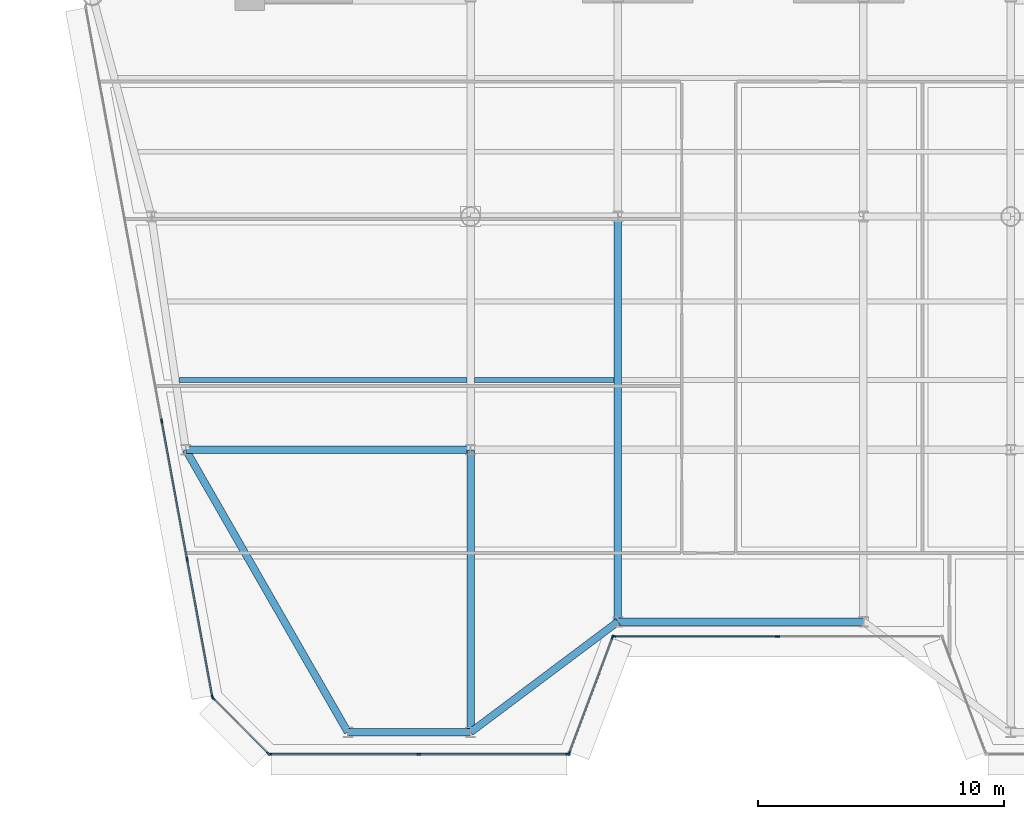
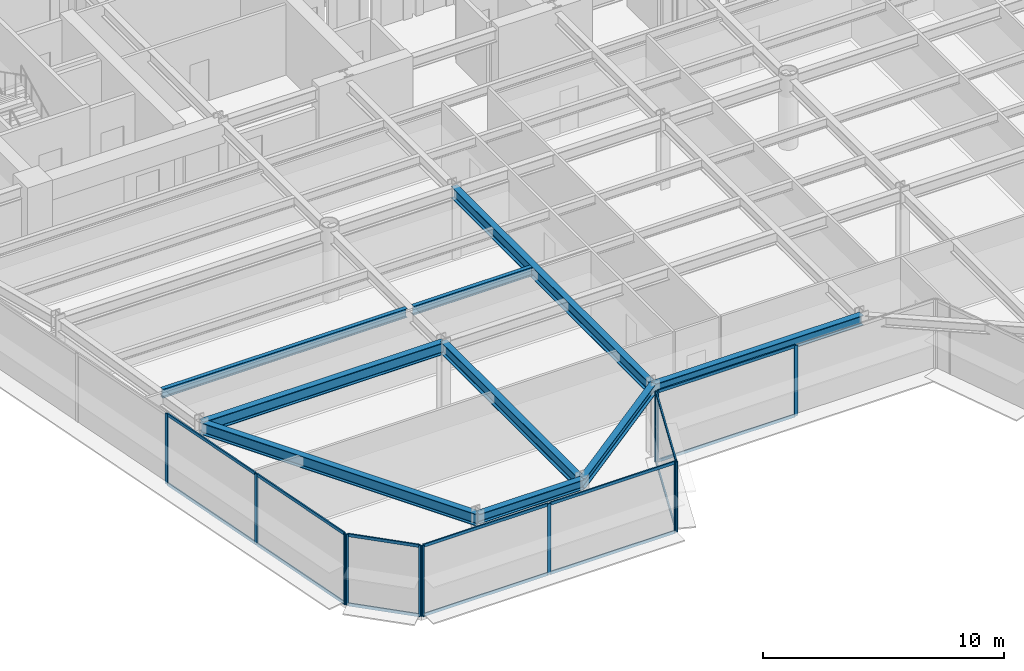
# One storey, part 2 of 16: 26 members, 9 beams, 5 elements without a shape of their own.
"""IFC4 building model written with IfcOpenShell, lengths in metres."""

from ifc_helpers import new_model, si_unit, direction, frame, origin, origin_2d, place, context, subcontext, project, spatial, rectangle, i_section, extrude, source, transform, mapped, material, layer, layer_set, material_profile, profile_set, type_object, element, aggregate, save


model = new_model("IFC4")

# Units and contexts
model_context = context("Model", 3, precision=1e-05, world=origin(), true_north=direction((0.0, 1.0)))
body_context = subcontext(model_context, "Body", "Model", "MODEL_VIEW")
ifc_project = project(units=[si_unit("LENGTHUNIT", "METRE"), si_unit("AREAUNIT", "SQUARE_METRE"), si_unit("VOLUMEUNIT", "CUBIC_METRE"), si_unit("PLANEANGLEUNIT", "RADIAN"), si_unit("MASSUNIT", "GRAM", prefix="KILO")], contexts=[model_context])

# Site, building, storey
site_placement = place(None, origin())
site = spatial("IfcSite", under=ifc_project, at=site_placement, CompositionType="ELEMENT")
building_placement = place(site_placement, origin())
building = spatial("IfcBuilding", under=site, at=building_placement, Name="Vaeldorn Concourse Tower", CompositionType="ELEMENT")
storey_placement = place(building_placement, frame((0.0, 0.0, 184.199951171875)))
storey = spatial("IfcBuildingStorey", under=building, at=storey_placement, Name="L47", CompositionType="ELEMENT", Elevation=184.199951171875)

# Beams
ifc_material_1 = material(Name="Steel S355", Category="steel")
ifc_material_profile_1 = material_profile(ifc_material_1, i_section(OverallWidth=0.300048828125, OverallDepth=0.5, WebThickness=0.014404296875, FlangeThickness=0.028076171875, FilletRadius=0.027099609375, at=origin_2d()), Name="HEB 500")
ifc_profile_set_1 = profile_set([ifc_material_profile_1], Name="Steel S355")
beam_type_1 = type_object("IfcBeamType", Name="BM-SP-HEB500", PredefinedType="SPANDREL", material=ifc_profile_set_1)
shared_shape_1 = source(origin(), body_context, "Body", "SweptSolid", [
    extrude(i_section(OverallWidth=0.300048828125, OverallDepth=0.5, WebThickness=0.014404296875, FlangeThickness=0.028076171875, FilletRadius=0.027099609375, at=origin_2d()), origin(), (0.0, 0.0, 1.0), 5.0),
])
beam_1_placement = place(storey_placement, frame((18.0, 6.5, 3.330078125), z_axis=(1.0, 0.0, 0.0), x_axis=(0.0, 1.0, 0.0)))
element("IfcBeam", 1, at=beam_1_placement, inside=storey, type_object=beam_type_1, Name="Beam BM-L47-C-SF1-C-SF2", PredefinedType="SPANDREL", context=body_context, shape_type="MappedRepresentation", body=[
    mapped(shared_shape_1, transform((0.0, 0.0, 0.0), scale=1.0)),
])
shared_shape_2 = source(origin(), body_context, "Body", "SweptSolid", [
    extrude(i_section(OverallWidth=0.300048828125, OverallDepth=0.5, WebThickness=0.014404296875, FlangeThickness=0.028076171875, FilletRadius=0.027099609375, at=origin_2d()), origin(), (0.0, 0.0, 1.0), 7.5),
])
beam_2_placement = place(storey_placement, frame((23.0, 6.5, 3.330078125), z_axis=(0.8, 0.6, 0.0), x_axis=(-0.6, 0.8, 0.0)))
element("IfcBeam", 2, at=beam_2_placement, inside=storey, type_object=beam_type_1, Name="Beam BM-L47-C-SF2-C-SF3", PredefinedType="SPANDREL", context=body_context, shape_type="MappedRepresentation", body=[
    mapped(shared_shape_2, transform((0.0, 0.0, 0.0), scale=1.0)),
])
shared_shape_3 = source(origin(), body_context, "Body", "SweptSolid", [
    extrude(i_section(OverallWidth=0.300048828125, OverallDepth=0.5, WebThickness=0.014404296875, FlangeThickness=0.028076171875, FilletRadius=0.027099609375, at=origin_2d()), origin(), (0.0, 0.0, 1.0), 10.0),
])
beam_3_placement = place(storey_placement, frame((29.0, 11.0, 3.330078125), z_axis=(1.0, 0.0, 0.0), x_axis=(0.0, 1.0, 0.0)))
element("IfcBeam", 3, at=beam_3_placement, inside=storey, type_object=beam_type_1, Name="Beam BM-L47-C-SF3-C-SF4", PredefinedType="SPANDREL", context=body_context, shape_type="MappedRepresentation", body=[
    mapped(shared_shape_3, transform((0.0, 0.0, 0.0), scale=1.0)),
])
ifc_material_profile_2 = material_profile(ifc_material_1, i_section(OverallWidth=0.18994140625, OverallDepth=0.449951171875, WebThickness=0.009521484375, FlangeThickness=0.0146484375, FilletRadius=0.02099609375, at=origin_2d()), Name="IPE 450")
ifc_profile_set_2 = profile_set([ifc_material_profile_2], Name="Steel S355")
beam_type_2 = type_object("IfcBeamType", Name="BM-JS-IPE450", PredefinedType="JOIST", material=ifc_profile_set_2)
shared_shape_4 = source(origin(), body_context, "Body", "SweptSolid", [
    extrude(i_section(OverallWidth=0.18994140625, OverallDepth=0.449951171875, WebThickness=0.009521484375, FlangeThickness=0.0146484375, FilletRadius=0.02099609375, at=origin_2d()), origin(), (0.0, 0.0, 1.0), 11.718505859375),
])
beam_4_placement = place(storey_placement, frame((11.131591796875, 20.840087890625, 3.35498046875), z_axis=(1.0, 0.0, 0.0), x_axis=(0.0, 1.0, 0.0)))
element("IfcBeam", 4, at=beam_4_placement, inside=storey, type_object=beam_type_2, Name="Beam JS-L47-W1-208", PredefinedType="JOIST", context=body_context, shape_type="MappedRepresentation", body=[
    mapped(shared_shape_4, transform((0.0, 0.0, 0.0), scale=1.0)),
])
shared_shape_5 = source(origin(), body_context, "Body", "SweptSolid", [
    extrude(i_section(OverallWidth=0.18994140625, OverallDepth=0.449951171875, WebThickness=0.009521484375, FlangeThickness=0.0146484375, FilletRadius=0.02099609375, at=origin_2d()), origin(), (0.0, 0.0, 1.0), 5.7001953125),
])
beam_5_placement = place(storey_placement, frame((23.14990234375, 20.840087890625, 3.35498046875), z_axis=(1.0, 0.0, 0.0), x_axis=(0.0, 1.0, 0.0)))
element("IfcBeam", 5, at=beam_5_placement, inside=storey, type_object=beam_type_2, Name="Beam JS-L47-W2-208", PredefinedType="JOIST", context=body_context, shape_type="MappedRepresentation", body=[
    mapped(shared_shape_5, transform((0.0, 0.0, 0.0), scale=1.0)),
])
ifc_material_profile_3 = material_profile(ifc_material_1, i_section(OverallWidth=0.300048828125, OverallDepth=0.60009765625, WebThickness=0.015380859375, FlangeThickness=0.030029296875, FilletRadius=0.027099609375, at=origin_2d()), Name="HEB 600")
ifc_profile_set_3 = profile_set([ifc_material_profile_3], Name="Steel S355")
beam_type_3 = type_object("IfcBeamType", Name="BM-PG-HEB600", PredefinedType="BEAM", material=ifc_profile_set_3)
shared_shape_6 = source(origin(), body_context, "Body", "SweptSolid", [
    extrude(i_section(OverallWidth=0.300048828125, OverallDepth=0.60009765625, WebThickness=0.015380859375, FlangeThickness=0.030029296875, FilletRadius=0.027099609375, at=origin_2d()), origin(), (0.0, 0.0, 1.0), 11.60009765625),
])
beam_6_placement = place(storey_placement, frame((11.39990234375, 18.0, 3.280029296875), z_axis=(1.0, 0.0, 0.0), x_axis=(0.0, 1.0, 0.0)))
element("IfcBeam", 6, at=beam_6_placement, inside=storey, type_object=beam_type_3, Name="Beam BM-L47-C-FLW2-C-TW5", PredefinedType="BEAM", context=body_context, shape_type="MappedRepresentation", body=[
    mapped(shared_shape_6, transform((0.0, 0.0, 0.0), scale=1.0)),
])
shared_shape_7 = source(origin(), body_context, "Body", "SweptSolid", [
    extrude(i_section(OverallWidth=0.300048828125, OverallDepth=0.60009765625, WebThickness=0.015380859375, FlangeThickness=0.030029296875, FilletRadius=0.027099609375, at=origin_2d()), origin(), (0.0, 0.0, 1.0), 13.25927734375),
])
beam_7_placement = place(storey_placement, frame((18.0, 6.5, 3.280029296875), z_axis=(-0.497768009943, 0.867310214558, 0.0), x_axis=(-0.867310214558, -0.497768009943, 0.0)))
element("IfcBeam", 7, at=beam_7_placement, inside=storey, type_object=beam_type_3, Name="Beam BM-L47-C-SF1-C-FLW2", PredefinedType="BEAM", context=body_context, shape_type="MappedRepresentation", body=[
    mapped(shared_shape_7, transform((0.0, 0.0, 0.0), scale=1.0)),
])
shared_shape_8 = source(origin(), body_context, "Body", "SweptSolid", [
    extrude(i_section(OverallWidth=0.300048828125, OverallDepth=0.60009765625, WebThickness=0.015380859375, FlangeThickness=0.030029296875, FilletRadius=0.027099609375, at=origin_2d()), origin(), (0.0, 0.0, 1.0), 11.5),
])
beam_8_placement = place(storey_placement, frame((23.0, 6.5, 3.280029296875), z_axis=(0.0, 1.0, 0.0), x_axis=(-1.0, 0.0, 0.0)))
element("IfcBeam", 8, at=beam_8_placement, inside=storey, type_object=beam_type_3, Name="Beam BM-L47-C-SF2-C-TW5", PredefinedType="BEAM", context=body_context, shape_type="MappedRepresentation", body=[
    mapped(shared_shape_8, transform((0.0, 0.0, 0.0), scale=1.0)),
])
shared_shape_9 = source(origin(), body_context, "Body", "SweptSolid", [
    extrude(i_section(OverallWidth=0.300048828125, OverallDepth=0.60009765625, WebThickness=0.015380859375, FlangeThickness=0.030029296875, FilletRadius=0.027099609375, at=origin_2d()), origin(), (0.0, 0.0, 1.0), 16.5),
])
beam_9_placement = place(storey_placement, frame((29.0, 11.0, 3.280029296875), z_axis=(0.0, 1.0, 0.0), x_axis=(-1.0, 0.0, 0.0)))
element("IfcBeam", 9, at=beam_9_placement, inside=storey, type_object=beam_type_3, Name="Beam BM-L47-C-SF3-C-TW2", PredefinedType="BEAM", context=body_context, shape_type="MappedRepresentation", body=[
    mapped(shared_shape_9, transform((0.0, 0.0, 0.0), scale=1.0)),
])

# Curtain wall, members
ifc_material_2 = material(Name="Anodised Bronze Aluminium", Category="aluminium")
ifc_layer = layer(ifc_material_2, 0.18994140625)
ifc_layer_set = layer_set([ifc_layer], Name="Anodised Bronze Aluminium")
curtain_wall_type = type_object("IfcCurtainWallType", Name="CW-SYS-03", PredefinedType="NOTDEFINED", material=ifc_layer_set)
curtain_wall_1_placement = place(storey_placement, origin())
curtain_wall_1 = element("IfcCurtainWall", 10, at=curtain_wall_1_placement, inside=storey, type_object=curtain_wall_type, Name="Unitised Curtain Wall CW-L47-E02-1", PredefinedType="NOTDEFINED")
ifc_material_profile_4 = material_profile(ifc_material_2, rectangle(XDim=0.06494140625, YDim=0.14990234375, at=origin_2d()), Name="CWT 65x150")
ifc_profile_set_4 = profile_set([ifc_material_profile_4], Name="Anodised Bronze Aluminium")
member_type_1 = type_object("IfcMemberType", Name="CWT-BRONZE-150", PredefinedType="USERDEFINED", material=ifc_profile_set_4)
shared_shape_10 = source(origin(), body_context, "Body", "SweptSolid", [
    extrude(rectangle(XDim=0.06494140625, YDim=0.14990234375, at=origin_2d()), origin(), (0.0, 0.0, 1.0), 4.996337890625),
])
member_1_placement = place(storey_placement, frame((27.022705078125, 5.660888671875, 0.032470703125), z_axis=(0.351134151405, 0.936325161318, 0.0), x_axis=(-0.936325161318, 0.351134151405, 0.0)))
member_1 = element("IfcMember", 11, at=member_1_placement, type_object=member_type_1, Name="CW-03 transom 1.1", ObjectType="TRANSOM", PredefinedType="USERDEFINED", context=body_context, shape_type="MappedRepresentation", body=[
    mapped(shared_shape_10, transform((0.0, 0.0, 0.0), scale=1.0)),
])
member_2_placement = place(storey_placement, frame((27.022705078125, 5.660888671875, 3.547607421875), z_axis=(0.351134151405, 0.936325161318, 0.0), x_axis=(-0.936325161318, 0.351134151405, 0.0)))
member_2 = element("IfcMember", 12, at=member_2_placement, type_object=member_type_1, Name="CW-03 transom 1.2", ObjectType="TRANSOM", PredefinedType="USERDEFINED", context=body_context, shape_type="MappedRepresentation", body=[
    mapped(shared_shape_10, transform((0.0, 0.0, 0.0), scale=1.0)),
])

curtain_wall_2_placement = place(storey_placement, origin())
curtain_wall_2 = element("IfcCurtainWall", 13, at=curtain_wall_2_placement, inside=storey, type_object=curtain_wall_type, Name="Unitised Curtain Wall CW-L47-E03-1", PredefinedType="NOTDEFINED")
shared_shape_11 = source(origin(), body_context, "Body", "SweptSolid", [
    extrude(rectangle(XDim=0.06494140625, YDim=0.14990234375, at=origin_2d()), origin(), (0.0, 0.0, 1.0), 6.6025390625),
])
member_3_placement = place(storey_placement, frame((28.864990234375, 10.39990234375, 0.032470703125), z_axis=(1.0, 0.0, 0.0), x_axis=(0.0, 1.0, 0.0)))
member_3 = element("IfcMember", 14, at=member_3_placement, type_object=member_type_1, Name="CW-03 transom 1.1", ObjectType="TRANSOM", PredefinedType="USERDEFINED", context=body_context, shape_type="MappedRepresentation", body=[
    mapped(shared_shape_11, transform((0.0, 0.0, 0.0), scale=1.0)),
])
member_4_placement = place(storey_placement, frame((28.864990234375, 10.39990234375, 3.547607421875), z_axis=(1.0, 0.0, 0.0), x_axis=(0.0, 1.0, 0.0)))
member_4 = element("IfcMember", 15, at=member_4_placement, type_object=member_type_1, Name="CW-03 transom 1.2", ObjectType="TRANSOM", PredefinedType="USERDEFINED", context=body_context, shape_type="MappedRepresentation", body=[
    mapped(shared_shape_11, transform((0.0, 0.0, 0.0), scale=1.0)),
])

curtain_wall_3_placement = place(storey_placement, origin())
curtain_wall_3 = element("IfcCurtainWall", 16, at=curtain_wall_3_placement, inside=storey, type_object=curtain_wall_type, Name="Unitised Curtain Wall CW-L47-E01-1", PredefinedType="NOTDEFINED")
ifc_material_profile_5 = material_profile(ifc_material_2, rectangle(XDim=0.06494140625, YDim=0.169921875, at=origin_2d()), Name="CWM 65x170")
ifc_profile_set_5 = profile_set([ifc_material_profile_5], Name="Anodised Bronze Aluminium")
member_type_2 = type_object("IfcMemberType", Name="CWM-BRONZE-170", PredefinedType="MULLION", material=ifc_profile_set_5)
shared_shape_12 = source(origin(), body_context, "Body", "SweptSolid", [
    extrude(rectangle(XDim=0.06494140625, YDim=0.169921875, at=origin_2d()), origin(), (0.0, 0.0, 1.0), 3.580078125),
])
member_5_placement = place(storey_placement, frame((14.823486328125, 5.60009765625, 0.0), z_axis=(0.0, 0.0, 1.0), x_axis=(0.0, 1.0, 0.0)))
member_5 = element("IfcMember", 17, at=member_5_placement, type_object=member_type_2, Name="CW-03 mullion 1", PredefinedType="MULLION", context=body_context, shape_type="MappedRepresentation", body=[
    mapped(shared_shape_12, transform((0.0, 0.0, 0.0), scale=1.0)),
])
member_6_placement = place(storey_placement, frame((20.8955078125, 5.60009765625, 0.0), z_axis=(0.0, 0.0, 1.0), x_axis=(0.0, 1.0, 0.0)))
member_6 = element("IfcMember", 18, at=member_6_placement, type_object=member_type_2, Name="CW-03 mullion 2", PredefinedType="MULLION", context=body_context, shape_type="MappedRepresentation", body=[
    mapped(shared_shape_12, transform((0.0, 0.0, 0.0), scale=1.0)),
])
member_7_placement = place(storey_placement, frame((26.967529296875, 5.60009765625, 0.0), z_axis=(0.0, 0.0, 1.0), x_axis=(0.0, 1.0, 0.0)))
member_7 = element("IfcMember", 19, at=member_7_placement, type_object=member_type_2, Name="CW-03 mullion 3", PredefinedType="MULLION", context=body_context, shape_type="MappedRepresentation", body=[
    mapped(shared_shape_12, transform((0.0, 0.0, 0.0), scale=1.0)),
])

# Member
member_8_placement = place(storey_placement, frame((27.011474609375, 5.63037109375, 0.0), z_axis=(0.0, 0.0, 1.0), x_axis=(-0.936329177566, 0.351123441595, 0.0)))
member_8 = element("IfcMember", 20, at=member_8_placement, type_object=member_type_2, Name="CW-03 mullion 1", PredefinedType="MULLION", context=body_context, shape_type="MappedRepresentation", body=[
    mapped(shared_shape_12, transform((0.0, 0.0, 0.0), scale=1.0)),
])

member_9_placement = place(storey_placement, frame((28.78857421875, 10.36962890625, 0.0), z_axis=(0.0, 0.0, 1.0), x_axis=(-0.936329177566, 0.351123441595, 0.0)))
member_9 = element("IfcMember", 21, at=member_9_placement, type_object=member_type_2, Name="CW-03 mullion 2", PredefinedType="MULLION", context=body_context, shape_type="MappedRepresentation", body=[
    mapped(shared_shape_12, transform((0.0, 0.0, 0.0), scale=1.0)),
])

aggregate(curtain_wall_1, [member_8, member_9, member_1, member_2])

member_10_placement = place(storey_placement, frame((28.83251953125, 10.39990234375, 0.0), z_axis=(0.0, 0.0, 1.0), x_axis=(0.0, 1.0, 0.0)))
member_10 = element("IfcMember", 22, at=member_10_placement, type_object=member_type_2, Name="CW-03 mullion 1", PredefinedType="MULLION", context=body_context, shape_type="MappedRepresentation", body=[
    mapped(shared_shape_12, transform((0.0, 0.0, 0.0), scale=1.0)),
])

member_11_placement = place(storey_placement, frame((35.5, 10.39990234375, 0.0), z_axis=(0.0, 0.0, 1.0), x_axis=(0.0, 1.0, 0.0)))
member_11 = element("IfcMember", 23, at=member_11_placement, type_object=member_type_2, Name="CW-03 mullion 2", PredefinedType="MULLION", context=body_context, shape_type="MappedRepresentation", body=[
    mapped(shared_shape_12, transform((0.0, 0.0, 0.0), scale=1.0)),
])

aggregate(curtain_wall_2, [member_10, member_11, member_3, member_4])

# Curtain wall, members
curtain_wall_4_placement = place(storey_placement, origin())
curtain_wall_4 = element("IfcCurtainWall", 24, at=curtain_wall_4_placement, inside=storey, type_object=curtain_wall_type, Name="Unitised Curtain Wall CW-L47-E11-2", PredefinedType="NOTDEFINED")
member_12_placement = place(storey_placement, frame((10.421142578125, 19.17333984375, 0.0), z_axis=(0.0, 0.0, 1.0), x_axis=(0.983559325018, 0.180585309951, 0.0)))
member_12 = element("IfcMember", 25, at=member_12_placement, type_object=member_type_2, Name="CW-03 mullion 4", PredefinedType="MULLION", context=body_context, shape_type="MappedRepresentation", body=[
    mapped(shared_shape_12, transform((0.0, 0.0, 0.0), scale=1.0)),
])
member_13_placement = place(storey_placement, frame((11.4560546875, 13.53662109375, 0.0), z_axis=(0.0, 0.0, 1.0), x_axis=(0.983559325018, 0.180585309951, 0.0)))
member_13 = element("IfcMember", 26, at=member_13_placement, type_object=member_type_2, Name="CW-03 mullion 5", PredefinedType="MULLION", context=body_context, shape_type="MappedRepresentation", body=[
    mapped(shared_shape_12, transform((0.0, 0.0, 0.0), scale=1.0)),
])
member_14_placement = place(storey_placement, frame((12.485107421875, 7.931884765625, 0.0), z_axis=(0.0, 0.0, 1.0), x_axis=(0.983559325018, 0.180585309951, 0.0)))
member_14 = element("IfcMember", 27, at=member_14_placement, type_object=member_type_2, Name="CW-03 mullion 6", PredefinedType="MULLION", context=body_context, shape_type="MappedRepresentation", body=[
    mapped(shared_shape_12, transform((0.0, 0.0, 0.0), scale=1.0)),
])

curtain_wall_5_placement = place(storey_placement, origin())
curtain_wall_5 = element("IfcCurtainWall", 28, at=curtain_wall_5_placement, inside=storey, type_object=curtain_wall_type, Name="Unitised Curtain Wall CW-L47-E12-1", PredefinedType="NOTDEFINED")
member_15_placement = place(storey_placement, frame((12.513916015625, 7.876953125, 0.0), z_axis=(0.0, 0.0, 1.0), x_axis=(0.707106781187, 0.707106781187, 0.0)))
member_15 = element("IfcMember", 29, at=member_15_placement, type_object=member_type_2, Name="CW-03 mullion 1", PredefinedType="MULLION", context=body_context, shape_type="MappedRepresentation", body=[
    mapped(shared_shape_12, transform((0.0, 0.0, 0.0), scale=1.0)),
])
member_16_placement = place(storey_placement, frame((14.76806640625, 5.623046875, 0.0), z_axis=(0.0, 0.0, 1.0), x_axis=(0.707106781187, 0.707106781187, 0.0)))
member_16 = element("IfcMember", 30, at=member_16_placement, type_object=member_type_2, Name="CW-03 mullion 2", PredefinedType="MULLION", context=body_context, shape_type="MappedRepresentation", body=[
    mapped(shared_shape_12, transform((0.0, 0.0, 0.0), scale=1.0)),
])
shared_shape_13 = source(origin(), body_context, "Body", "SweptSolid", [
    extrude(rectangle(XDim=0.06494140625, YDim=0.14990234375, at=origin_2d()), origin(), (0.0, 0.0, 1.0), 3.122802734375),
])
member_17_placement = place(storey_placement, frame((12.536865234375, 7.85400390625, 0.032470703125), z_axis=(0.707145870536, -0.707067689676, 0.0), x_axis=(0.707067689676, 0.707145870536, 0.0)))
member_17 = element("IfcMember", 31, at=member_17_placement, type_object=member_type_1, Name="CW-03 transom 1.1", ObjectType="TRANSOM", PredefinedType="USERDEFINED", context=body_context, shape_type="MappedRepresentation", body=[
    mapped(shared_shape_13, transform((0.0, 0.0, 0.0), scale=1.0)),
])
member_18_placement = place(storey_placement, frame((12.536865234375, 7.85400390625, 3.547607421875), z_axis=(0.707145870536, -0.707067689676, 0.0), x_axis=(0.707067689676, 0.707145870536, 0.0)))
member_18 = element("IfcMember", 32, at=member_18_placement, type_object=member_type_1, Name="CW-03 transom 1.2", ObjectType="TRANSOM", PredefinedType="USERDEFINED", context=body_context, shape_type="MappedRepresentation", body=[
    mapped(shared_shape_13, transform((0.0, 0.0, 0.0), scale=1.0)),
])
aggregate(curtain_wall_5, [member_15, member_16, member_17, member_18])

# Member
shared_shape_14 = source(origin(), body_context, "Body", "SweptSolid", [
    extrude(rectangle(XDim=0.06494140625, YDim=0.14990234375, at=origin_2d()), origin(), (0.0, 0.0, 1.0), 5.63330078125),
])
member_19_placement = place(storey_placement, frame((11.4619140625, 13.504638671875, 0.032470703125), z_axis=(0.180589917692, -0.983558479008, 0.0), x_axis=(0.983558479008, 0.180589917692, 0.0)))
member_19 = element("IfcMember", 33, at=member_19_placement, type_object=member_type_1, Name="CW-03 transom 5.1", ObjectType="TRANSOM", PredefinedType="USERDEFINED", context=body_context, shape_type="MappedRepresentation", body=[
    mapped(shared_shape_14, transform((0.0, 0.0, 0.0), scale=1.0)),
])

member_20_placement = place(storey_placement, frame((11.4619140625, 13.504638671875, 3.547607421875), z_axis=(0.180589917692, -0.983558479008, 0.0), x_axis=(0.983558479008, 0.180589917692, 0.0)))
member_20 = element("IfcMember", 34, at=member_20_placement, type_object=member_type_1, Name="CW-03 transom 5.2", ObjectType="TRANSOM", PredefinedType="USERDEFINED", context=body_context, shape_type="MappedRepresentation", body=[
    mapped(shared_shape_14, transform((0.0, 0.0, 0.0), scale=1.0)),
])

shared_shape_15 = source(origin(), body_context, "Body", "SweptSolid", [
    extrude(rectangle(XDim=0.06494140625, YDim=0.14990234375, at=origin_2d()), origin(), (0.0, 0.0, 1.0), 5.666015625),
])
member_21_placement = place(storey_placement, frame((10.427001953125, 19.141357421875, 0.032470703125), z_axis=(0.180587719149, -0.983558882677, 0.0), x_axis=(0.983558882677, 0.180587719149, 0.0)))
member_21 = element("IfcMember", 35, at=member_21_placement, type_object=member_type_1, Name="CW-03 transom 4.1", ObjectType="TRANSOM", PredefinedType="USERDEFINED", context=body_context, shape_type="MappedRepresentation", body=[
    mapped(shared_shape_15, transform((0.0, 0.0, 0.0), scale=1.0)),
])

member_22_placement = place(storey_placement, frame((10.427001953125, 19.141357421875, 3.547607421875), z_axis=(0.180587719149, -0.983558882677, 0.0), x_axis=(0.983558882677, 0.180587719149, 0.0)))
member_22 = element("IfcMember", 36, at=member_22_placement, type_object=member_type_1, Name="CW-03 transom 4.2", ObjectType="TRANSOM", PredefinedType="USERDEFINED", context=body_context, shape_type="MappedRepresentation", body=[
    mapped(shared_shape_15, transform((0.0, 0.0, 0.0), scale=1.0)),
])

aggregate(curtain_wall_4, [member_12, member_13, member_14, member_21, member_22, member_19, member_20])

shared_shape_16 = source(origin(), body_context, "Body", "SweptSolid", [
    extrude(rectangle(XDim=0.06494140625, YDim=0.14990234375, at=origin_2d()), origin(), (0.0, 0.0, 1.0), 6.007080078125),
])
member_23_placement = place(storey_placement, frame((14.85595703125, 5.60009765625, 0.032470703125), z_axis=(1.0, 0.0, 0.0), x_axis=(0.0, 1.0, 0.0)))
member_23 = element("IfcMember", 37, at=member_23_placement, type_object=member_type_1, Name="CW-03 transom 1.1", ObjectType="TRANSOM", PredefinedType="USERDEFINED", context=body_context, shape_type="MappedRepresentation", body=[
    mapped(shared_shape_16, transform((0.0, 0.0, 0.0), scale=1.0)),
])

member_24_placement = place(storey_placement, frame((14.85595703125, 5.60009765625, 3.547607421875), z_axis=(1.0, 0.0, 0.0), x_axis=(0.0, 1.0, 0.0)))
member_24 = element("IfcMember", 38, at=member_24_placement, type_object=member_type_1, Name="CW-03 transom 1.2", ObjectType="TRANSOM", PredefinedType="USERDEFINED", context=body_context, shape_type="MappedRepresentation", body=[
    mapped(shared_shape_16, transform((0.0, 0.0, 0.0), scale=1.0)),
])

member_25_placement = place(storey_placement, frame((20.927978515625, 5.60009765625, 0.032470703125), z_axis=(1.0, 0.0, 0.0), x_axis=(0.0, 1.0, 0.0)))
member_25 = element("IfcMember", 39, at=member_25_placement, type_object=member_type_1, Name="CW-03 transom 2.1", ObjectType="TRANSOM", PredefinedType="USERDEFINED", context=body_context, shape_type="MappedRepresentation", body=[
    mapped(shared_shape_16, transform((0.0, 0.0, 0.0), scale=1.0)),
])

member_26_placement = place(storey_placement, frame((20.927978515625, 5.60009765625, 3.547607421875), z_axis=(1.0, 0.0, 0.0), x_axis=(0.0, 1.0, 0.0)))
member_26 = element("IfcMember", 40, at=member_26_placement, type_object=member_type_1, Name="CW-03 transom 2.2", ObjectType="TRANSOM", PredefinedType="USERDEFINED", context=body_context, shape_type="MappedRepresentation", body=[
    mapped(shared_shape_16, transform((0.0, 0.0, 0.0), scale=1.0)),
])

aggregate(curtain_wall_3, [member_5, member_6, member_7, member_23, member_24, member_25, member_26])

save(model, "model.ifc")
